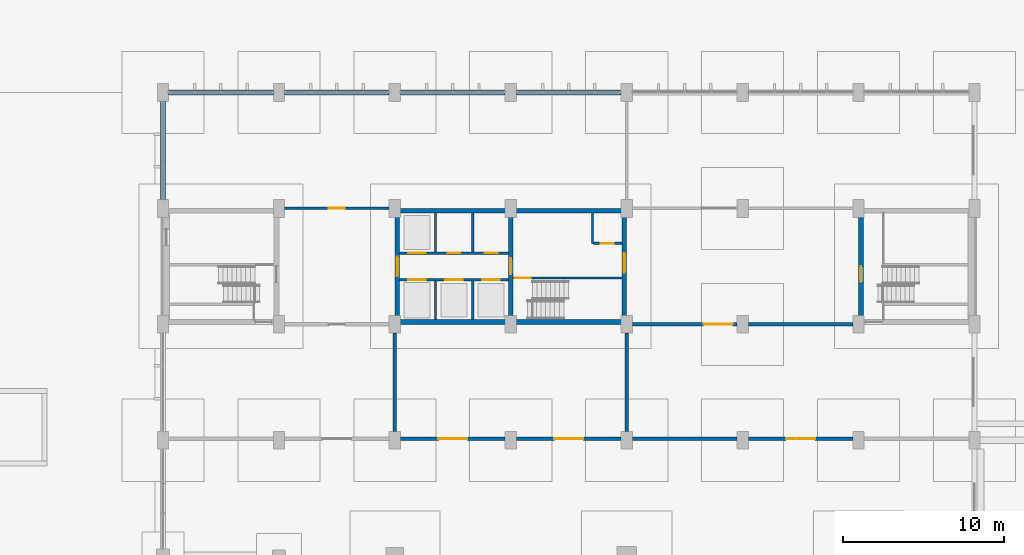
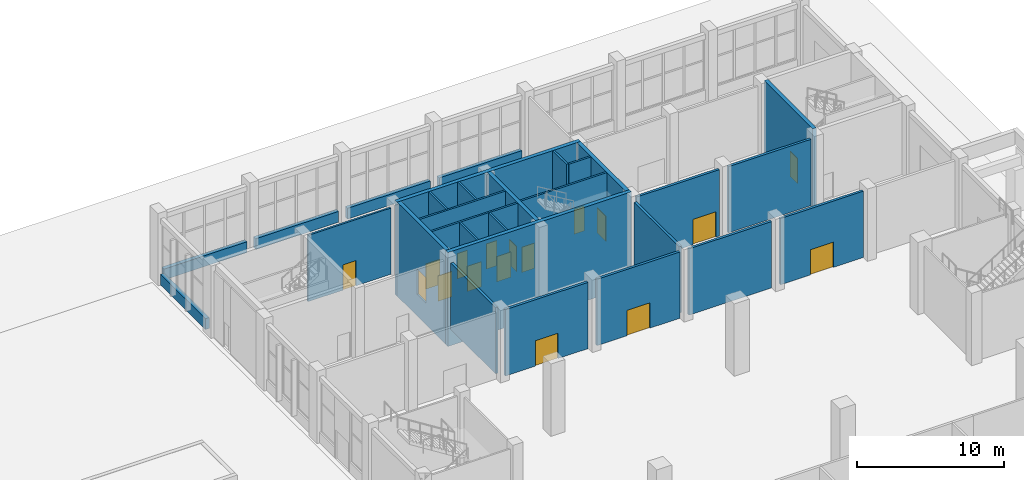
# One storey, part 52 of 70: 29 walls, 17 doors, 17 openings.
"""IFC4 building model written with IfcOpenShell, lengths in metres."""

from ifc_helpers import new_model, si_unit, direction, frame, frame_2d, origin, place, context, subcontext, project, spatial, rectangle, extrude, material, layer, layer_set, type_object, element, fill, save


model = new_model("IFC4")

# Units and contexts
model_context = context("Model", 3, precision=1e-05, world=origin(), true_north=direction((0.0, 1.0)))
body_context = subcontext(model_context, "Body", "Model", "MODEL_VIEW")
ifc_project = project(units=[si_unit("LENGTHUNIT", "METRE"), si_unit("AREAUNIT", "SQUARE_METRE"), si_unit("VOLUMEUNIT", "CUBIC_METRE"), si_unit("PLANEANGLEUNIT", "RADIAN"), si_unit("MASSUNIT", "GRAM", prefix="KILO")], contexts=[model_context])

# Site, building, storey
site_placement = place(None, origin())
site = spatial("IfcSite", under=ifc_project, at=site_placement, CompositionType="ELEMENT")
building_placement = place(site_placement, origin())
building = spatial("IfcBuilding", under=site, at=building_placement, Name="Vermilion Court Aquatics Centre", CompositionType="ELEMENT")
storey_placement = place(building_placement, origin())
storey = spatial("IfcBuildingStorey", under=building, at=storey_placement, Name="L00", CompositionType="ELEMENT", Elevation=0.0)

# Walls
ifc_material_1 = material(Name="Concrete 8000 psi", Category="concrete")
ifc_layer_1 = layer(ifc_material_1, 0.300048828125)
ifc_layer_set_1 = layer_set([ifc_layer_1], Name="North block core shear wall 300")
wall_type_1 = type_object("IfcWallType", Name="North block core shear wall 300", PredefinedType="SHEAR", material=ifc_layer_set_1)
for number, where, z_axis, x_axis, name in (
    (1, (158.39990234375, 100.949951171875, -1.800048828125), (0.0, 0.0, 1.0), (1.0, 0.0, 0.0), "Core shear wall south L00"),
    (2, (158.39990234375, 107.85009765625, -1.800048828125), (0.0, 0.0, 1.0), (1.0, 0.0, 0.0), "Core shear wall north L00"),
):
    element("IfcWall", number, at=place(storey_placement, frame(where, z_axis=z_axis, x_axis=x_axis)), inside=storey, type_object=wall_type_1, Name=name, PredefinedType="SHEAR", context=body_context, shape_type="SweptSolid", body=[
        extrude(rectangle(XDim=14.400146484375, YDim=0.300048828125, at=frame_2d((7.2001953125, 0.0))), origin(), (0.0, 0.0, 1.0), 7.800048828125),
    ])

# Wall, opening, door
wall_1_placement = place(storey_placement, frame((158.550048828125, 101.10009765625, -1.800048828125), z_axis=(0.0, 0.0, 1.0), x_axis=(0.0, 1.0, 0.0)))
wall_1 = element("IfcWall", 3, at=wall_1_placement, inside=storey, type_object=wall_type_1, Name="Core shear wall west L00", PredefinedType="SHEAR", context=body_context, shape_type="SweptSolid", body=[
    extrude(rectangle(XDim=6.599853515625, YDim=0.300048828125, at=frame_2d((3.2998046875, 0.0))), origin(), (0.0, 0.0, 1.0), 7.800048828125),
])
opening_1_placement = place(wall_1_placement, frame((2.699951171875, 0.0, 1.800048828125)))
opening_1 = element("IfcOpeningElement", 4, at=opening_1_placement, cuts=wall_1, Name="Opening U00-003", PredefinedType="OPENING", context=body_context, shape_type="SweptSolid", body=[
    extrude(rectangle(XDim=1.199951171875, YDim=2.10009765625, at=frame_2d((0.60009765625, 1.050048828125))), frame((0.0, 0.159912109375, 0.0), z_axis=(0.0, -1.0, 0.0), x_axis=(1.0, 0.0, 0.0)), (0.0, 0.0, 1.0), 0.320068359375),
])
ifc_material_2 = material(Name="Hollow metal")
door_type_1 = type_object("IfcDoorType", Name="North block fire door FD90 1200x2100", OperationType="NOTDEFINED", PredefinedType="DOOR", material=ifc_material_2)
door_1_placement = place(opening_1_placement, origin())
door_1 = element("IfcDoor", 5, at=door_1_placement, inside=storey, type_object=door_type_1, Name="Core lobby door west L00", OperationType="SINGLE_SWING_LEFT", OverallHeight=2.10009765625, OverallWidth=1.199951171875, PredefinedType="DOOR", context=body_context, shape_type="SweptSolid", body=[
    extrude(rectangle(XDim=1.199951171875, YDim=2.10009765625, at=frame_2d((0.60009765625, 1.050048828125))), frame((0.0, 0.02490234375, 0.0), z_axis=(0.0, -1.0, 0.0), x_axis=(1.0, 0.0, 0.0)), (0.0, 0.0, 1.0), 0.050048828125),
])
fill(opening_1, door_1)

wall_2_placement = place(storey_placement, frame((165.60009765625, 101.10009765625, -1.800048828125), z_axis=(0.0, 0.0, 1.0), x_axis=(0.0, 1.0, 0.0)))
wall_2 = element("IfcWall", 6, at=wall_2_placement, inside=storey, type_object=wall_type_1, Name="Core shear wall cross L00", PredefinedType="SHEAR", context=body_context, shape_type="SweptSolid", body=[
    extrude(rectangle(XDim=6.599853515625, YDim=0.300048828125, at=frame_2d((3.2998046875, 0.0))), origin(), (0.0, 0.0, 1.0), 7.800048828125),
])
opening_2_placement = place(wall_2_placement, frame((2.800048828125, 0.0, 1.800048828125)))
opening_2 = element("IfcOpeningElement", 7, at=opening_2_placement, cuts=wall_2, Name="Opening U00-004", PredefinedType="OPENING", context=body_context, shape_type="SweptSolid", body=[
    extrude(rectangle(XDim=1.0, YDim=2.10009765625, at=frame_2d((0.5, 1.050048828125))), frame((0.0, 0.159912109375, 0.0), z_axis=(0.0, -1.0, 0.0), x_axis=(1.0, 0.0, 0.0)), (0.0, 0.0, 1.0), 0.320068359375),
])
ifc_material_3 = material(Name="Hollow metal")
door_type_2 = type_object("IfcDoorType", Name="North block fire door FD90 1000x2100", OperationType="NOTDEFINED", PredefinedType="DOOR", material=ifc_material_3)
door_2_placement = place(opening_2_placement, origin())
door_2 = element("IfcDoor", 8, at=door_2_placement, inside=storey, type_object=door_type_2, Name="Core cross door L00", OperationType="SINGLE_SWING_LEFT", OverallHeight=2.10009765625, OverallWidth=1.0, PredefinedType="DOOR", context=body_context, shape_type="SweptSolid", body=[
    extrude(rectangle(XDim=1.0, YDim=2.10009765625, at=frame_2d((0.5, 1.050048828125))), frame((0.0, 0.02490234375, 0.0), z_axis=(0.0, -1.0, 0.0), x_axis=(1.0, 0.0, 0.0)), (0.0, 0.0, 1.0), 0.050048828125),
])
fill(opening_2, door_2)

wall_3_placement = place(storey_placement, frame((172.64990234375, 101.10009765625, -1.800048828125), z_axis=(0.0, 0.0, 1.0), x_axis=(0.0, 1.0, 0.0)))
wall_3 = element("IfcWall", 9, at=wall_3_placement, inside=storey, type_object=wall_type_1, Name="Core shear wall east L00", PredefinedType="SHEAR", context=body_context, shape_type="SweptSolid", body=[
    extrude(rectangle(XDim=6.599853515625, YDim=0.300048828125, at=frame_2d((3.2998046875, 0.0))), origin(), (0.0, 0.0, 1.0), 7.800048828125),
])
opening_3_placement = place(wall_3_placement, frame((2.89990234375, 0.0, 1.800048828125)))
opening_3 = element("IfcOpeningElement", 10, at=opening_3_placement, cuts=wall_3, Name="Opening U00-005", PredefinedType="OPENING", context=body_context, shape_type="SweptSolid", body=[
    extrude(rectangle(XDim=1.199951171875, YDim=2.10009765625, at=frame_2d((0.60009765625, 1.050048828125))), frame((0.0, 0.159912109375, 0.0), z_axis=(0.0, -1.0, 0.0), x_axis=(1.0, 0.0, 0.0)), (0.0, 0.0, 1.0), 0.320068359375),
])
door_3_placement = place(opening_3_placement, frame((1.199951171875, 0.0, 0.0), z_axis=(0.0, 0.0, 1.0), x_axis=(-1.0, 0.0, 0.0)))
door_3 = element("IfcDoor", 11, at=door_3_placement, inside=storey, type_object=door_type_1, Name="Core lobby door east L00", OperationType="SINGLE_SWING_RIGHT", OverallHeight=2.10009765625, OverallWidth=1.199951171875, PredefinedType="DOOR", context=body_context, shape_type="SweptSolid", body=[
    extrude(rectangle(XDim=1.199951171875, YDim=2.10009765625, at=frame_2d((0.599853515625, 1.050048828125))), frame((0.0, 0.025146484375, 0.0), z_axis=(0.0, -1.0, 0.0), x_axis=(1.0, 0.0, 0.0)), (0.0, 0.0, 1.0), 0.050048828125),
])
fill(opening_3, door_3)

wall_4_placement = place(storey_placement, frame((187.35009765625, 101.10009765625, -0.60009765625), z_axis=(0.0, 0.0, 1.0), x_axis=(0.0, 1.0, 0.0)))
wall_4 = element("IfcWall", 12, at=wall_4_placement, inside=storey, type_object=wall_type_1, Name="Stair 2 shear wall inner L00", PredefinedType="SHEAR", context=body_context, shape_type="SweptSolid", body=[
    extrude(rectangle(XDim=6.599853515625, YDim=0.300048828125, at=frame_2d((3.2998046875, 0.0))), origin(), (0.0, 0.0, 1.0), 6.60009765625),
])
opening_4_placement = place(wall_4_placement, frame((2.300048828125, 0.0, 0.60009765625)))
opening_4 = element("IfcOpeningElement", 13, at=opening_4_placement, cuts=wall_4, Name="Opening U00-009", PredefinedType="OPENING", context=body_context, shape_type="SweptSolid", body=[
    extrude(rectangle(XDim=1.0, YDim=2.10009765625, at=frame_2d((0.5, 1.050048828125))), frame((0.0, 0.159912109375, 0.0), z_axis=(0.0, -1.0, 0.0), x_axis=(1.0, 0.0, 0.0)), (0.0, 0.0, 1.0), 0.320068359375),
])
door_4_placement = place(opening_4_placement, origin())
door_4 = element("IfcDoor", 14, at=door_4_placement, inside=storey, type_object=door_type_2, Name="Stair 2 door L00", OperationType="SINGLE_SWING_RIGHT", OverallHeight=2.10009765625, OverallWidth=1.0, PredefinedType="DOOR", context=body_context, shape_type="SweptSolid", body=[
    extrude(rectangle(XDim=1.0, YDim=2.10009765625, at=frame_2d((0.5, 1.050048828125))), frame((0.0, 0.02490234375, 0.0), z_axis=(0.0, -1.0, 0.0), x_axis=(1.0, 0.0, 0.0)), (0.0, 0.0, 1.0), 0.050048828125),
])
fill(opening_4, door_4)

# Walls
ifc_material_4 = material(Name="Concrete 5000 psi", Category="concrete")
ifc_layer_2 = layer(ifc_material_4, 0.14990234375)
ifc_layer_set_2 = layer_set([ifc_layer_2], Name="North block lift shaft partition 150")
wall_type_2 = type_object("IfcWallType", Name="North block lift shaft partition 150", PredefinedType="PARTITIONING", material=ifc_layer_set_2)
for number, where, z_axis, x_axis, name in (
    (15, (160.925048828125, 101.10009765625, -1.800048828125), (0.0, 0.0, 1.0), (0.0, 1.0, 0.0), "Lift shaft wall S1 L00"),
    (16, (163.22509765625, 101.10009765625, -1.800048828125), (0.0, 0.0, 1.0), (0.0, 1.0, 0.0), "Lift shaft wall S2 L00"),
    (17, (160.925048828125, 105.300048828125, -1.800048828125), (0.0, 0.0, 1.0), (0.0, 1.0, 0.0), "Lift shaft wall N1 L00"),
    (18, (163.22509765625, 105.300048828125, -1.800048828125), (0.0, 0.0, 1.0), (0.0, 1.0, 0.0), "Lift shaft wall N2 L00"),
):
    element("IfcWall", number, at=place(storey_placement, frame(where, z_axis=z_axis, x_axis=x_axis)), inside=storey, type_object=wall_type_2, Name=name, PredefinedType="PARTITIONING", context=body_context, shape_type="SweptSolid", body=[
        extrude(rectangle(XDim=2.39990234375, YDim=0.14990234375, at=frame_2d((1.199951171875, 0.0))), origin(), (0.0, 0.0, 1.0), 7.800048828125),
    ])

# Wall, openings, doors
wall_5_placement = place(storey_placement, frame((158.699951171875, 103.574951171875, -1.800048828125), z_axis=(0.0, 0.0, 1.0), x_axis=(1.0, 0.0, 0.0)))
wall_5 = element("IfcWall", 19, at=wall_5_placement, inside=storey, type_object=wall_type_2, Name="Lift shaft front wall S L00", PredefinedType="PARTITIONING", context=body_context, shape_type="SweptSolid", body=[
    extrude(rectangle(XDim=6.75, YDim=0.14990234375, at=frame_2d((3.375, 0.0))), origin(), (0.0, 0.0, 1.0), 7.800048828125),
])
opening_5_placement = place(wall_5_placement, frame((0.52490234375, 0.0, 1.800048828125)))
opening_5 = element("IfcOpeningElement", 20, at=opening_5_placement, cuts=wall_5, Name="Opening LD1-00", PredefinedType="OPENING", context=body_context, shape_type="SweptSolid", body=[
    extrude(rectangle(XDim=1.10009765625, YDim=2.10009765625, at=frame_2d((0.550048828125, 1.050048828125))), frame((0.0, 0.0849609375, 0.0), z_axis=(0.0, -1.0, 0.0), x_axis=(1.0, 0.0, 0.0)), (0.0, 0.0, 1.0), 0.169921875),
])
opening_6_placement = place(wall_5_placement, frame((2.824951171875, 0.0, 1.800048828125)))
opening_6 = element("IfcOpeningElement", 21, at=opening_6_placement, cuts=wall_5, Name="Opening LD2-00", PredefinedType="OPENING", context=body_context, shape_type="SweptSolid", body=[
    extrude(rectangle(XDim=1.10009765625, YDim=2.10009765625, at=frame_2d((0.550048828125, 1.050048828125))), frame((0.0, 0.0849609375, 0.0), z_axis=(0.0, -1.0, 0.0), x_axis=(1.0, 0.0, 0.0)), (0.0, 0.0, 1.0), 0.169921875),
])
opening_7_placement = place(wall_5_placement, frame((5.125, 0.0, 1.800048828125)))
opening_7 = element("IfcOpeningElement", 22, at=opening_7_placement, cuts=wall_5, Name="Opening LD3-00", PredefinedType="OPENING", context=body_context, shape_type="SweptSolid", body=[
    extrude(rectangle(XDim=1.10009765625, YDim=2.10009765625, at=frame_2d((0.550048828125, 1.050048828125))), frame((0.0, 0.0849609375, 0.0), z_axis=(0.0, -1.0, 0.0), x_axis=(1.0, 0.0, 0.0)), (0.0, 0.0, 1.0), 0.169921875),
])
ifc_material_5 = material(Name="Hollow metal")
door_type_3 = type_object("IfcDoorType", Name="North block lift landing door 1100x2100", OperationType="DOUBLE_DOOR_SLIDING", PredefinedType="DOOR", material=ifc_material_5)
door_5_placement = place(opening_5_placement, origin())
door_5 = element("IfcDoor", 23, at=door_5_placement, inside=storey, type_object=door_type_3, Name="Lift landing door L1 L00", OperationType="DOUBLE_DOOR_SLIDING", OverallHeight=2.10009765625, OverallWidth=1.10009765625, PredefinedType="DOOR", context=body_context, shape_type="SweptSolid", body=[
    extrude(rectangle(XDim=1.10009765625, YDim=2.10009765625, at=frame_2d((0.550048828125, 1.050048828125))), frame((0.0, 0.02490234375, 0.0), z_axis=(0.0, -1.0, 0.0), x_axis=(1.0, 0.0, 0.0)), (0.0, 0.0, 1.0), 0.050048828125),
])
fill(opening_5, door_5)
door_6_placement = place(opening_6_placement, origin())
door_6 = element("IfcDoor", 24, at=door_6_placement, inside=storey, type_object=door_type_3, Name="Lift landing door L2 L00", OperationType="DOUBLE_DOOR_SLIDING", OverallHeight=2.10009765625, OverallWidth=1.10009765625, PredefinedType="DOOR", context=body_context, shape_type="SweptSolid", body=[
    extrude(rectangle(XDim=1.10009765625, YDim=2.10009765625, at=frame_2d((0.550048828125, 1.050048828125))), frame((0.0, 0.02490234375, 0.0), z_axis=(0.0, -1.0, 0.0), x_axis=(1.0, 0.0, 0.0)), (0.0, 0.0, 1.0), 0.050048828125),
])
fill(opening_6, door_6)
door_7_placement = place(opening_7_placement, origin())
door_7 = element("IfcDoor", 25, at=door_7_placement, inside=storey, type_object=door_type_3, Name="Lift landing door L3 L00", OperationType="DOUBLE_DOOR_SLIDING", OverallHeight=2.10009765625, OverallWidth=1.10009765625, PredefinedType="DOOR", context=body_context, shape_type="SweptSolid", body=[
    extrude(rectangle(XDim=1.10009765625, YDim=2.10009765625, at=frame_2d((0.550048828125, 1.050048828125))), frame((0.0, 0.02490234375, 0.0), z_axis=(0.0, -1.0, 0.0), x_axis=(1.0, 0.0, 0.0)), (0.0, 0.0, 1.0), 0.050048828125),
])
fill(opening_7, door_7)

wall_6_placement = place(storey_placement, frame((158.699951171875, 105.22509765625, -1.800048828125), z_axis=(0.0, 0.0, 1.0), x_axis=(1.0, 0.0, 0.0)))
wall_6 = element("IfcWall", 26, at=wall_6_placement, inside=storey, type_object=wall_type_2, Name="Lift shaft front wall N L00", PredefinedType="PARTITIONING", context=body_context, shape_type="SweptSolid", body=[
    extrude(rectangle(XDim=6.75, YDim=0.14990234375, at=frame_2d((3.375, 0.0))), origin(), (0.0, 0.0, 1.0), 7.800048828125),
])
opening_8_placement = place(wall_6_placement, frame((0.52490234375, 0.0, 1.800048828125)))
opening_8 = element("IfcOpeningElement", 27, at=opening_8_placement, cuts=wall_6, Name="Opening LD4-00", PredefinedType="OPENING", context=body_context, shape_type="SweptSolid", body=[
    extrude(rectangle(XDim=1.10009765625, YDim=2.10009765625, at=frame_2d((0.550048828125, 1.050048828125))), frame((0.0, 0.0849609375, 0.0), z_axis=(0.0, -1.0, 0.0), x_axis=(1.0, 0.0, 0.0)), (0.0, 0.0, 1.0), 0.169921875),
])
opening_9_placement = place(wall_6_placement, frame((2.97509765625, 0.0, 1.800048828125)))
opening_9 = element("IfcOpeningElement", 28, at=opening_9_placement, cuts=wall_6, Name="Opening U00-001", PredefinedType="OPENING", context=body_context, shape_type="SweptSolid", body=[
    extrude(rectangle(XDim=0.800048828125, YDim=2.10009765625, at=frame_2d((0.39990234375, 1.050048828125))), frame((0.0, 0.0849609375, 0.0), z_axis=(0.0, -1.0, 0.0), x_axis=(1.0, 0.0, 0.0)), (0.0, 0.0, 1.0), 0.169921875),
])
opening_10_placement = place(wall_6_placement, frame((5.27490234375, 0.0, 1.800048828125)))
opening_10 = element("IfcOpeningElement", 29, at=opening_10_placement, cuts=wall_6, Name="Opening U00-002", PredefinedType="OPENING", context=body_context, shape_type="SweptSolid", body=[
    extrude(rectangle(XDim=0.800048828125, YDim=2.10009765625, at=frame_2d((0.39990234375, 1.050048828125))), frame((0.0, 0.0849609375, 0.0), z_axis=(0.0, -1.0, 0.0), x_axis=(1.0, 0.0, 0.0)), (0.0, 0.0, 1.0), 0.169921875),
])
door_8_placement = place(opening_8_placement, origin())
door_8 = element("IfcDoor", 30, at=door_8_placement, inside=storey, type_object=door_type_3, Name="Lift landing door L4 L00", OperationType="DOUBLE_DOOR_SLIDING", OverallHeight=2.10009765625, OverallWidth=1.10009765625, PredefinedType="DOOR", context=body_context, shape_type="SweptSolid", body=[
    extrude(rectangle(XDim=1.10009765625, YDim=2.10009765625, at=frame_2d((0.550048828125, 1.050048828125))), frame((0.0, 0.02490234375, 0.0), z_axis=(0.0, -1.0, 0.0), x_axis=(1.0, 0.0, 0.0)), (0.0, 0.0, 1.0), 0.050048828125),
])
fill(opening_8, door_8)
ifc_material_6 = material(Name="Hollow metal")
door_type_4 = type_object("IfcDoorType", Name="North block riser door FD90 800x2100", OperationType="NOTDEFINED", PredefinedType="DOOR", material=ifc_material_6)
door_9_placement = place(opening_9_placement, frame((0.800048828125, 0.0, 0.0), z_axis=(0.0, 0.0, 1.0), x_axis=(-1.0, 0.0, 0.0)))
door_9 = element("IfcDoor", 31, at=door_9_placement, inside=storey, type_object=door_type_4, Name="Electrical Riser door L00", OperationType="SINGLE_SWING_RIGHT", OverallHeight=2.10009765625, OverallWidth=0.800048828125, PredefinedType="DOOR", context=body_context, shape_type="SweptSolid", body=[
    extrude(rectangle(XDim=0.800048828125, YDim=2.10009765625, at=frame_2d((0.400146484375, 1.050048828125))), frame((0.0, 0.025146484375, 0.0), z_axis=(0.0, -1.0, 0.0), x_axis=(1.0, 0.0, 0.0)), (0.0, 0.0, 1.0), 0.050048828125),
])
fill(opening_9, door_9)
door_10_placement = place(opening_10_placement, frame((0.800048828125, 0.0, 0.0), z_axis=(0.0, 0.0, 1.0), x_axis=(-1.0, 0.0, 0.0)))
door_10 = element("IfcDoor", 32, at=door_10_placement, inside=storey, type_object=door_type_4, Name="Plumbing Riser door L00", OperationType="SINGLE_SWING_LEFT", OverallHeight=2.10009765625, OverallWidth=0.800048828125, PredefinedType="DOOR", context=body_context, shape_type="SweptSolid", body=[
    extrude(rectangle(XDim=0.800048828125, YDim=2.10009765625, at=frame_2d((0.400146484375, 1.050048828125))), frame((0.0, 0.025146484375, 0.0), z_axis=(0.0, -1.0, 0.0), x_axis=(1.0, 0.0, 0.0)), (0.0, 0.0, 1.0), 0.050048828125),
])
fill(opening_10, door_10)

# Wall
wall_7_placement = place(storey_placement, frame((170.675048828125, 105.824951171875, -1.800048828125), z_axis=(0.0, 0.0, 1.0), x_axis=(0.0, 1.0, 0.0)))
element("IfcWall", 33, at=wall_7_placement, inside=storey, type_object=wall_type_2, Name="Riser shaft wall west L00", PredefinedType="PARTITIONING", context=body_context, shape_type="SweptSolid", body=[
    extrude(rectangle(XDim=1.875, YDim=0.14990234375, at=frame_2d((0.9375, 0.0))), origin(), (0.0, 0.0, 1.0), 7.800048828125),
])

# Wall, opening, door
wall_8_placement = place(storey_placement, frame((170.75, 105.824951171875, -1.800048828125), z_axis=(0.0, 0.0, 1.0), x_axis=(1.0, 0.0, 0.0)))
wall_8 = element("IfcWall", 34, at=wall_8_placement, inside=storey, type_object=wall_type_2, Name="Riser shaft wall south L00", PredefinedType="PARTITIONING", context=body_context, shape_type="SweptSolid", body=[
    extrude(rectangle(XDim=1.75, YDim=0.14990234375, at=frame_2d((0.875, 0.0))), origin(), (0.0, 0.0, 1.0), 7.800048828125),
])
opening_11_placement = place(wall_8_placement, frame((0.449951171875, 0.0, 1.800048828125)))
opening_11 = element("IfcOpeningElement", 35, at=opening_11_placement, cuts=wall_8, Name="Opening U00-007", PredefinedType="OPENING", context=body_context, shape_type="SweptSolid", body=[
    extrude(rectangle(XDim=0.800048828125, YDim=2.10009765625, at=frame_2d((0.39990234375, 1.050048828125))), frame((0.0, 0.0849609375, 0.0), z_axis=(0.0, -1.0, 0.0), x_axis=(1.0, 0.0, 0.0)), (0.0, 0.0, 1.0), 0.169921875),
])
door_11_placement = place(opening_11_placement, frame((0.800048828125, 0.0, 0.0), z_axis=(0.0, 0.0, 1.0), x_axis=(-1.0, 0.0, 0.0)))
door_11 = element("IfcDoor", 36, at=door_11_placement, inside=storey, type_object=door_type_4, Name="Riser door L00", OperationType="SINGLE_SWING_LEFT", OverallHeight=2.10009765625, OverallWidth=0.800048828125, PredefinedType="DOOR", context=body_context, shape_type="SweptSolid", body=[
    extrude(rectangle(XDim=0.800048828125, YDim=2.10009765625, at=frame_2d((0.400146484375, 1.050048828125))), frame((0.0, 0.025146484375, 0.0), z_axis=(0.0, -1.0, 0.0), x_axis=(1.0, 0.0, 0.0)), (0.0, 0.0, 1.0), 0.050048828125),
])
fill(opening_11, door_11)

ifc_material_7 = material(Name="Concrete 5000 psi", Category="concrete")
ifc_layer_3 = layer(ifc_material_7, 0.14990234375)
ifc_layer_set_3 = layer_set([ifc_layer_3], Name="North block stair lane wall 150")
wall_type_3 = type_object("IfcWallType", Name="North block stair lane wall 150", PredefinedType="SHEAR", material=ifc_layer_set_3)
wall_9_placement = place(storey_placement, frame((165.75, 103.675048828125, -1.800048828125), z_axis=(0.0, 0.0, 1.0), x_axis=(1.0, 0.0, 0.0)))
wall_9 = element("IfcWall", 37, at=wall_9_placement, inside=storey, type_object=wall_type_3, Name="Stair 3 wall north L00", PredefinedType="SHEAR", context=body_context, shape_type="SweptSolid", body=[
    extrude(rectangle(XDim=6.75, YDim=0.14990234375, at=frame_2d((3.375, 0.0))), origin(), (0.0, 0.0, 1.0), 7.800048828125),
])
opening_12_placement = place(wall_9_placement, frame((0.10009765625, 0.0, 1.800048828125)))
opening_12 = element("IfcOpeningElement", 38, at=opening_12_placement, cuts=wall_9, Name="Opening U00-006", PredefinedType="OPENING", context=body_context, shape_type="SweptSolid", body=[
    extrude(rectangle(XDim=1.0, YDim=2.10009765625, at=frame_2d((0.5, 1.050048828125))), frame((0.0, 0.0849609375, 0.0), z_axis=(0.0, -1.0, 0.0), x_axis=(1.0, 0.0, 0.0)), (0.0, 0.0, 1.0), 0.169921875),
])
door_12_placement = place(opening_12_placement, origin())
door_12 = element("IfcDoor", 39, at=door_12_placement, inside=storey, type_object=door_type_2, Name="Stair 3 door L00", OperationType="SINGLE_SWING_LEFT", OverallHeight=2.10009765625, OverallWidth=1.0, PredefinedType="DOOR", context=body_context, shape_type="SweptSolid", body=[
    extrude(rectangle(XDim=1.0, YDim=2.10009765625, at=frame_2d((0.5, 1.050048828125))), frame((0.0, 0.02490234375, 0.0), z_axis=(0.0, -1.0, 0.0), x_axis=(1.0, 0.0, 0.0)), (0.0, 0.0, 1.0), 0.050048828125),
])
fill(opening_12, door_12)

# Walls
ifc_material_8 = material(Name="Brick masonry", Category="masonry")
ifc_layer_4 = layer(ifc_material_8, 0.300048828125)
ifc_layer_set_4 = layer_set([ifc_layer_4], Name="Podium facade brick wall 300")
wall_type_4 = type_object("IfcWallType", Name="Podium facade brick wall 300", PredefinedType="SOLIDWALL", material=ifc_layer_set_4)
for number, where, z_axis, x_axis, name in (
    (40, (144.35009765625, 115.199951171875, 0.0), (0.0, 0.0, 1.0), (1.0, 0.0, 0.0), "Facade sill wall L00"),
    (41, (151.550048828125, 115.199951171875, 0.0), (0.0, 0.0, 1.0), (1.0, 0.0, 0.0), "Facade sill wall L00"),
    (42, (158.75, 115.199951171875, 0.0), (0.0, 0.0, 1.0), (1.0, 0.0, 0.0), "Facade sill wall L00"),
    (43, (165.949951171875, 115.199951171875, 0.0), (0.0, 0.0, 1.0), (1.0, 0.0, 0.0), "Facade sill wall L00"),
):
    element("IfcWall", number, at=place(storey_placement, frame(where, z_axis=z_axis, x_axis=x_axis)), inside=storey, type_object=wall_type_4, Name=name, PredefinedType="SOLIDWALL", context=body_context, shape_type="SweptSolid", body=[
        extrude(rectangle(XDim=6.5, YDim=0.300048828125, at=frame_2d((3.25, 0.0))), origin(), (0.0, 0.0, 1.0), 0.89990234375),
    ])
wall_10_placement = place(storey_placement, frame((144.0, 108.550048828125, 0.0), z_axis=(0.0, 0.0, 1.0), x_axis=(0.0, 1.0, 0.0)))
element("IfcWall", 44, at=wall_10_placement, inside=storey, type_object=wall_type_4, Name="Facade sill wall L00", PredefinedType="SOLIDWALL", context=body_context, shape_type="SweptSolid", body=[
    extrude(rectangle(XDim=6.099853515625, YDim=0.300048828125, at=frame_2d((3.0498046875, 0.0))), origin(), (0.0, 0.0, 1.0), 0.89990234375),
])
ifc_material_9 = material(Name="Concrete masonry ASTM C90 Type I", Category="masonry")
ifc_layer_5 = layer(ifc_material_9, 0.199951171875)
ifc_layer_set_5 = layer_set([ifc_layer_5], Name="Podium fire-rated partition 200, 1 hr")
wall_type_5 = type_object("IfcWallType", Name="Podium fire-rated partition 200, 1 hr", PredefinedType="PARTITIONING", material=ifc_layer_set_5)
for number, where, z_axis, x_axis, name in (
    (45, (158.39990234375, 94.14990234375, 0.0), (0.0, 0.0, 1.0), (0.0, 1.0, 0.0), "Fire-rated partition"),
    (46, (172.800048828125, 94.14990234375, 0.0), (0.0, 0.0, 1.0), (0.0, 1.0, 0.0), "Fire-rated partition"),
):
    element("IfcWall", number, at=place(storey_placement, frame(where, z_axis=z_axis, x_axis=x_axis)), inside=storey, type_object=wall_type_5, Name=name, PredefinedType="PARTITIONING", context=body_context, shape_type="SweptSolid", body=[
        extrude(rectangle(XDim=6.10009765625, YDim=0.199951171875, at=frame_2d((3.050048828125, 0.0))), origin(), (0.0, 0.0, 1.0), 5.5),
    ])

# Wall, opening, door
wall_11_placement = place(storey_placement, frame((158.75, 93.699951171875, 0.0), z_axis=(0.0, 0.0, 1.0), x_axis=(1.0, 0.0, 0.0)))
wall_11 = element("IfcWall", 47, at=wall_11_placement, inside=storey, type_object=wall_type_5, Name="Fire-rated partition", PredefinedType="PARTITIONING", context=body_context, shape_type="SweptSolid", body=[
    extrude(rectangle(XDim=6.5, YDim=0.199951171875, at=frame_2d((3.25, 0.0))), origin(), (0.0, 0.0, 1.0), 5.5),
])
opening_13_placement = place(wall_11_placement, frame((2.35009765625, 0.0, 0.0)))
opening_13 = element("IfcOpeningElement", 48, at=opening_13_placement, cuts=wall_11, Name="Opening P00-021", PredefinedType="OPENING", context=body_context, shape_type="SweptSolid", body=[
    extrude(rectangle(XDim=1.800048828125, YDim=2.10009765625, at=frame_2d((0.89990234375, 1.050048828125))), frame((0.0, 0.10986328125, 0.0), z_axis=(0.0, -1.0, 0.0), x_axis=(1.0, 0.0, 0.0)), (0.0, 0.0, 1.0), 0.219970703125),
])
ifc_material_10 = material(Name="Hollow metal")
door_type_5 = type_object("IfcDoorType", Name="Podium fire door pair 1800x2100, 60 min", OperationType="DOUBLE_DOOR_SINGLE_SWING", PredefinedType="DOOR", material=ifc_material_10)
door_13_placement = place(opening_13_placement, frame((1.800048828125, 0.0, 0.0), z_axis=(0.0, 0.0, 1.0), x_axis=(-1.0, 0.0, 0.0)))
door_13 = element("IfcDoor", 49, at=door_13_placement, inside=storey, type_object=door_type_5, Name="Door", OperationType="DOUBLE_DOOR_SINGLE_SWING", OverallHeight=2.10009765625, OverallWidth=1.800048828125, PredefinedType="DOOR", context=body_context, shape_type="SweptSolid", body=[
    extrude(rectangle(XDim=1.800048828125, YDim=2.10009765625, at=frame_2d((0.900146484375, 1.050048828125))), frame((0.0, 0.025146484375, 0.0), z_axis=(0.0, -1.0, 0.0), x_axis=(1.0, 0.0, 0.0)), (0.0, 0.0, 1.0), 0.050048828125),
])
fill(opening_13, door_13)

wall_12_placement = place(storey_placement, frame((165.949951171875, 93.699951171875, 0.0), z_axis=(0.0, 0.0, 1.0), x_axis=(1.0, 0.0, 0.0)))
wall_12 = element("IfcWall", 50, at=wall_12_placement, inside=storey, type_object=wall_type_5, Name="Fire-rated partition", PredefinedType="PARTITIONING", context=body_context, shape_type="SweptSolid", body=[
    extrude(rectangle(XDim=6.5, YDim=0.199951171875, at=frame_2d((3.25, 0.0))), origin(), (0.0, 0.0, 1.0), 5.5),
])
opening_14_placement = place(wall_12_placement, frame((2.35009765625, 0.0, 0.0)))
opening_14 = element("IfcOpeningElement", 51, at=opening_14_placement, cuts=wall_12, Name="Opening P00-022", PredefinedType="OPENING", context=body_context, shape_type="SweptSolid", body=[
    extrude(rectangle(XDim=1.800048828125, YDim=2.10009765625, at=frame_2d((0.89990234375, 1.050048828125))), frame((0.0, 0.10986328125, 0.0), z_axis=(0.0, -1.0, 0.0), x_axis=(1.0, 0.0, 0.0)), (0.0, 0.0, 1.0), 0.219970703125),
])
door_14_placement = place(opening_14_placement, frame((1.800048828125, 0.0, 0.0), z_axis=(0.0, 0.0, 1.0), x_axis=(-1.0, 0.0, 0.0)))
door_14 = element("IfcDoor", 52, at=door_14_placement, inside=storey, type_object=door_type_5, Name="Door", OperationType="DOUBLE_DOOR_SINGLE_SWING", OverallHeight=2.10009765625, OverallWidth=1.800048828125, PredefinedType="DOOR", context=body_context, shape_type="SweptSolid", body=[
    extrude(rectangle(XDim=1.800048828125, YDim=2.10009765625, at=frame_2d((0.900146484375, 1.050048828125))), frame((0.0, 0.025146484375, 0.0), z_axis=(0.0, -1.0, 0.0), x_axis=(1.0, 0.0, 0.0)), (0.0, 0.0, 1.0), 0.050048828125),
])
fill(opening_14, door_14)

# Wall
wall_13_placement = place(storey_placement, frame((173.14990234375, 93.699951171875, 0.0), z_axis=(0.0, 0.0, 1.0), x_axis=(1.0, 0.0, 0.0)))
element("IfcWall", 53, at=wall_13_placement, inside=storey, type_object=wall_type_5, Name="Fire-rated partition", PredefinedType="PARTITIONING", context=body_context, shape_type="SweptSolid", body=[
    extrude(rectangle(XDim=6.5, YDim=0.199951171875, at=frame_2d((3.25, 0.0))), origin(), (0.0, 0.0, 1.0), 5.5),
])

# Wall, opening, door
wall_14_placement = place(storey_placement, frame((180.35009765625, 93.699951171875, 0.0), z_axis=(0.0, 0.0, 1.0), x_axis=(1.0, 0.0, 0.0)))
wall_14 = element("IfcWall", 54, at=wall_14_placement, inside=storey, type_object=wall_type_5, Name="Fire-rated partition", PredefinedType="PARTITIONING", context=body_context, shape_type="SweptSolid", body=[
    extrude(rectangle(XDim=6.5, YDim=0.199951171875, at=frame_2d((3.25, 0.0))), origin(), (0.0, 0.0, 1.0), 5.5),
])
opening_15_placement = place(wall_14_placement, frame((2.35009765625, 0.0, 0.0)))
opening_15 = element("IfcOpeningElement", 55, at=opening_15_placement, cuts=wall_14, Name="Opening P00-024", PredefinedType="OPENING", context=body_context, shape_type="SweptSolid", body=[
    extrude(rectangle(XDim=1.800048828125, YDim=2.10009765625, at=frame_2d((0.89990234375, 1.050048828125))), frame((0.0, 0.10986328125, 0.0), z_axis=(0.0, -1.0, 0.0), x_axis=(1.0, 0.0, 0.0)), (0.0, 0.0, 1.0), 0.219970703125),
])
door_15_placement = place(opening_15_placement, origin())
door_15 = element("IfcDoor", 56, at=door_15_placement, inside=storey, type_object=door_type_5, Name="Door", OperationType="DOUBLE_DOOR_SINGLE_SWING", OverallHeight=2.10009765625, OverallWidth=1.800048828125, PredefinedType="DOOR", context=body_context, shape_type="SweptSolid", body=[
    extrude(rectangle(XDim=1.800048828125, YDim=2.10009765625, at=frame_2d((0.89990234375, 1.050048828125))), frame((0.0, 0.02490234375, 0.0), z_axis=(0.0, -1.0, 0.0), x_axis=(1.0, 0.0, 0.0)), (0.0, 0.0, 1.0), 0.050048828125),
])
fill(opening_15, door_15)

wall_15_placement = place(storey_placement, frame((173.14990234375, 100.800048828125, 0.0), z_axis=(0.0, 0.0, 1.0), x_axis=(1.0, 0.0, 0.0)))
wall_15 = element("IfcWall", 57, at=wall_15_placement, inside=storey, type_object=wall_type_5, Name="Fire-rated partition", PredefinedType="PARTITIONING", context=body_context, shape_type="SweptSolid", body=[
    extrude(rectangle(XDim=6.5, YDim=0.199951171875, at=frame_2d((3.25, 0.0))), origin(), (0.0, 0.0, 1.0), 5.5),
])
opening_16_placement = place(wall_15_placement, frame((4.428955078125, 0.0, 0.0)))
opening_16 = element("IfcOpeningElement", 58, at=opening_16_placement, cuts=wall_15, Name="Opening P00-026", PredefinedType="OPENING", context=body_context, shape_type="SweptSolid", body=[
    extrude(rectangle(XDim=1.800048828125, YDim=2.10009765625, at=frame_2d((0.89990234375, 1.050048828125))), frame((0.0, 0.10986328125, 0.0), z_axis=(0.0, -1.0, 0.0), x_axis=(1.0, 0.0, 0.0)), (0.0, 0.0, 1.0), 0.219970703125),
])
door_16_placement = place(opening_16_placement, origin())
door_16 = element("IfcDoor", 59, at=door_16_placement, inside=storey, type_object=door_type_5, Name="Door", OperationType="DOUBLE_DOOR_SINGLE_SWING", OverallHeight=2.10009765625, OverallWidth=1.800048828125, PredefinedType="DOOR", context=body_context, shape_type="SweptSolid", body=[
    extrude(rectangle(XDim=1.800048828125, YDim=2.10009765625, at=frame_2d((0.89990234375, 1.050048828125))), frame((0.0, 0.02490234375, 0.0), z_axis=(0.0, -1.0, 0.0), x_axis=(1.0, 0.0, 0.0)), (0.0, 0.0, 1.0), 0.050048828125),
])
fill(opening_16, door_16)

# Wall
wall_16_placement = place(storey_placement, frame((180.35009765625, 100.800048828125, 0.0), z_axis=(0.0, 0.0, 1.0), x_axis=(1.0, 0.0, 0.0)))
element("IfcWall", 60, at=wall_16_placement, inside=storey, type_object=wall_type_5, Name="Fire-rated partition", PredefinedType="PARTITIONING", context=body_context, shape_type="SweptSolid", body=[
    extrude(rectangle(XDim=6.5, YDim=0.199951171875, at=frame_2d((3.25, 0.0))), origin(), (0.0, 0.0, 1.0), 5.5),
])

# Wall, opening, door
ifc_material_11 = material(Name="Gypsum board")
ifc_layer_6 = layer(ifc_material_11, 0.14990234375)
ifc_layer_set_6 = layer_set([ifc_layer_6], Name="Podium partition wall 150")
wall_type_6 = type_object("IfcWallType", Name="Podium partition wall 150", PredefinedType="PARTITIONING", material=ifc_layer_set_6)
wall_17_placement = place(storey_placement, frame((151.550048828125, 108.0, 0.0), z_axis=(0.0, 0.0, 1.0), x_axis=(1.0, 0.0, 0.0)))
wall_17 = element("IfcWall", 61, at=wall_17_placement, inside=storey, type_object=wall_type_6, Name="Partition", PredefinedType="PARTITIONING", context=body_context, shape_type="SweptSolid", body=[
    extrude(rectangle(XDim=6.5, YDim=0.14990234375, at=frame_2d((3.25, 0.0))), origin(), (0.0, 0.0, 1.0), 5.5),
])
opening_17_placement = place(wall_17_placement, frame((2.75, 0.0, 0.0)))
opening_17 = element("IfcOpeningElement", 62, at=opening_17_placement, cuts=wall_17, Name="Opening P00-027", PredefinedType="OPENING", context=body_context, shape_type="SweptSolid", body=[
    extrude(rectangle(XDim=1.0, YDim=2.10009765625, at=frame_2d((0.5, 1.050048828125))), frame((0.0, 0.0849609375, 0.0), z_axis=(0.0, -1.0, 0.0), x_axis=(1.0, 0.0, 0.0)), (0.0, 0.0, 1.0), 0.169921875),
])
ifc_material_12 = material(Name="Timber door leaf", Category="wood")
door_type_6 = type_object("IfcDoorType", Name="Podium door leaf 1000x2100", OperationType="SINGLE_SWING_RIGHT", PredefinedType="DOOR", material=ifc_material_12)
door_17_placement = place(opening_17_placement, frame((1.0, 0.0, 0.0), z_axis=(0.0, 0.0, 1.0), x_axis=(-1.0, 0.0, 0.0)))
door_17 = element("IfcDoor", 63, at=door_17_placement, inside=storey, type_object=door_type_6, Name="Door", OperationType="SINGLE_SWING_RIGHT", OverallHeight=2.10009765625, OverallWidth=1.0, PredefinedType="DOOR", context=body_context, shape_type="SweptSolid", body=[
    extrude(rectangle(XDim=1.0, YDim=2.10009765625, at=frame_2d((0.5, 1.050048828125))), frame((0.0, 0.025146484375, 0.0), z_axis=(0.0, -1.0, 0.0), x_axis=(1.0, 0.0, 0.0)), (0.0, 0.0, 1.0), 0.050048828125),
])
fill(opening_17, door_17)

save(model, "model.ifc")
